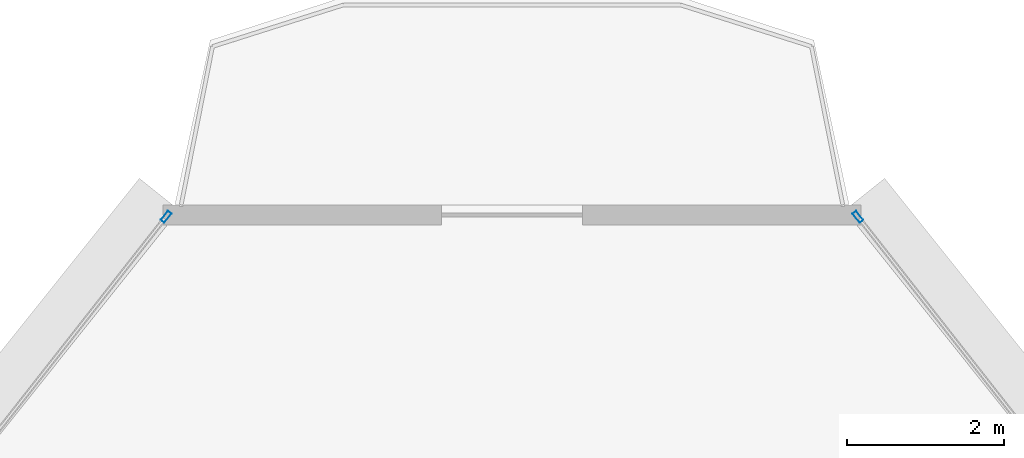
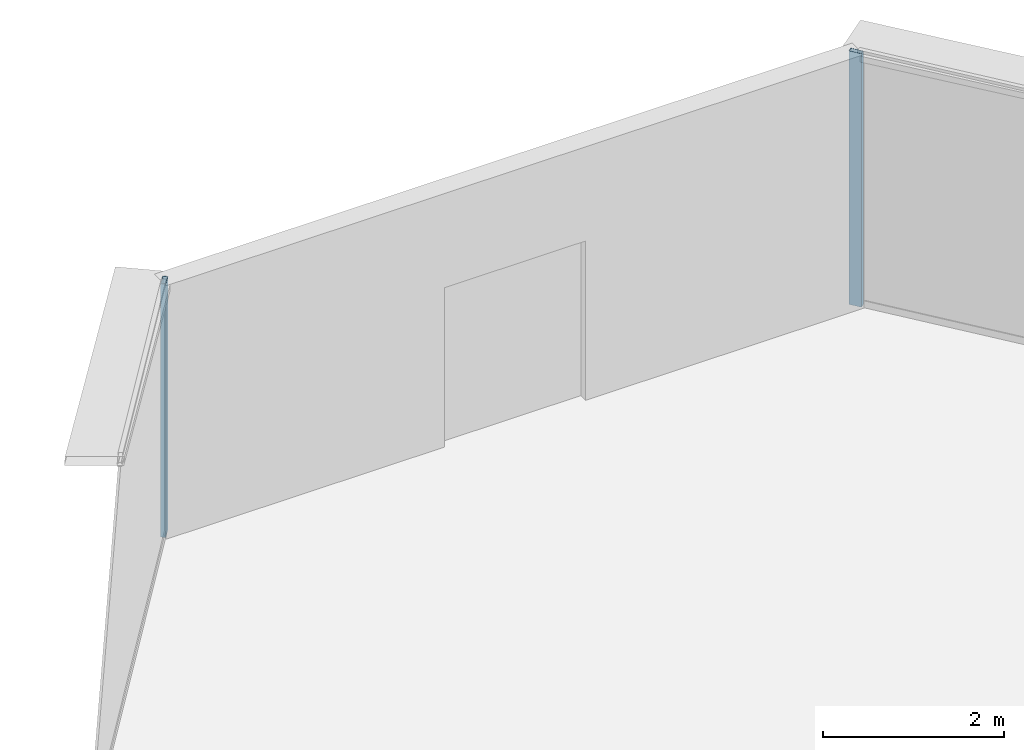
# One storey, part 29 of 42: 2 members, 2 elements without a shape of their own.
"""IFC4 building model written with IfcOpenShell, lengths in metres."""

import ifcopenshell
import ifcopenshell.guid

model = None  # the IFC model being written
_history = None  # IfcOwnerHistory: only IFC2X3 demands one
_inside = {}  # id of a spatial element -> (the spatial element, [elements in it])
_under = {}  # id of a project, library or spatial element -> (it, [spatial elements below it])
_declared = {}  # id of a project -> (the project, [libraries it declares])
_typed = {}  # id of a type object -> (the type object, [elements of that type])
_made_of = {}  # id of a material, layer set ... -> (it, [elements and type objects made of it])


def new_model(schema):
    """Start an empty IFC model of exactly this schema.

    Asked for "IFC4X3", IfcOpenShell would pick the latest addendum, in which some entities
    have other attributes; the version numbers below select the first issue.
    IFC2X3 requires an IfcOwnerHistory on every rooted entity: one is made here for all.
    """
    global model, _history
    if schema == "IFC4X3":
        model = ifcopenshell.file(schema_version=(4, 3, 0, 0))
    else:
        model = ifcopenshell.file(schema=schema)
    _inside.clear()
    _under.clear()
    _declared.clear()
    _typed.clear()
    _made_of.clear()
    _history = None
    if model.schema == "IFC2X3":
        org = make("IfcOrganization", Name="unknown")
        user = make(
            "IfcPersonAndOrganization",
            ThePerson=make("IfcPerson", FamilyName="unknown"),
            TheOrganization=org,
        )
        app = make(
            "IfcApplication",
            ApplicationDeveloper=org,
            Version="unknown",
            ApplicationFullName="unknown",
            ApplicationIdentifier="unknown",
        )
        _history = make(
            "IfcOwnerHistory",
            OwningUser=user,
            OwningApplication=app,
            ChangeAction="ADDED",
            CreationDate=0,
        )
    return model


def make(cls, **values):
    """One entity of the class cls with the attributes given. An attribute that is None is left unset."""
    return model.create_entity(
        cls, **{name: value for name, value in values.items() if value is not None}
    )


def rooted(cls, **values):
    """An entity with a GlobalId (a new one), such as an element, a storey or a relation."""
    return make(cls, GlobalId=ifcopenshell.guid.new(), OwnerHistory=_history, **values)


def si_unit(unit_type, name, prefix=None):
    """IfcSIUnit, for example si_unit("LENGTHUNIT", "METRE", prefix="MILLI")."""
    return make("IfcSIUnit", UnitType=unit_type, Prefix=prefix, Name=name)


def assignment(units):
    """IfcUnitAssignment: the units of a project."""
    return None if units is None else make("IfcUnitAssignment", Units=units)


def point(xyz):
    """IfcCartesianPoint."""
    return None if xyz is None else make("IfcCartesianPoint", Coordinates=xyz)


def direction(xyz):
    """IfcDirection."""
    return None if xyz is None else make("IfcDirection", DirectionRatios=xyz)


def frame(location, z_axis=None, x_axis=None):
    """IfcAxis2Placement3D, a coordinate frame: its origin and axes. An axis left out is left unset."""
    return make(
        "IfcAxis2Placement3D",
        Location=point(location),
        Axis=direction(z_axis),
        RefDirection=direction(x_axis),
    )


def frame_2d(location, x_axis=None):
    """IfcAxis2Placement2D, a coordinate frame in the plane: its origin and x axis."""
    return make(
        "IfcAxis2Placement2D", Location=point(location), RefDirection=direction(x_axis)
    )


def origin():
    """The frame at (0, 0, 0) with its axes left unset."""
    return frame((0.0, 0.0, 0.0))


def origin_2d():
    """The frame at (0, 0) in the plane with its x axis left unset."""
    return frame_2d((0.0, 0.0))


def place(relative_to, where):
    """IfcLocalPlacement: puts the frame where relative to a parent placement (None: the world)."""
    return make(
        "IfcLocalPlacement", PlacementRelTo=relative_to, RelativePlacement=where
    )


def context(
    kind, dimensions, precision=None, world=None, true_north=None, identifier=None
):
    """IfcGeometricRepresentationContext, for example the 3D "Model" context."""
    return make(
        "IfcGeometricRepresentationContext",
        ContextIdentifier=identifier,
        ContextType=kind,
        CoordinateSpaceDimension=dimensions,
        Precision=precision,
        WorldCoordinateSystem=world,
        TrueNorth=true_north,
    )


def subcontext(parent, identifier, kind, view, scale=None):
    """IfcGeometricRepresentationSubContext, for example "Body" below "Model"."""
    return make(
        "IfcGeometricRepresentationSubContext",
        ContextIdentifier=identifier,
        ContextType=kind,
        ParentContext=parent,
        TargetScale=scale,
        TargetView=view,
    )


def project(units=None, contexts=None):
    """IfcProject with its units and contexts."""
    return rooted(
        "IfcProject",
        Name="project",
        RepresentationContexts=contexts,
        UnitsInContext=assignment(units),
    )


def spatial(cls, under=None, at=None, **own):
    """A site, building, storey or space (cls), placed at a placement, below another one or the project."""
    s = rooted(cls, ObjectPlacement=at, **own)
    if under is not None:
        _under.setdefault(under.id(), (under, []))[1].append(s)
    return s


def profile(cls, at=None, kind="AREA", **sizes):
    """A parametric profile (cls). Its sizes go by their IFC names, for example OverallWidth=200.0."""
    return make(cls, ProfileType=kind, Position=at, **sizes)


def hollow_rectangle(**sizes):
    """IfcRectangleHollowProfileDef."""
    return profile("IfcRectangleHollowProfileDef", **sizes)


def extrude(swept, where, along, depth):
    """IfcExtrudedAreaSolid: the profile swept, set in the frame where, extruded along a direction by depth."""
    return make(
        "IfcExtrudedAreaSolid",
        SweptArea=swept,
        Position=where,
        ExtrudedDirection=direction(along),
        Depth=depth,
    )


def shape(context_of_items, identifier, shape_type, items):
    """IfcShapeRepresentation: the items that make up one representation, for example the "Body"."""
    return make(
        "IfcShapeRepresentation",
        ContextOfItems=context_of_items,
        RepresentationIdentifier=identifier,
        RepresentationType=shape_type,
        Items=items,
    )


def source(mapping_origin, context_of_items, identifier, shape_type, items):
    """IfcRepresentationMap: a shape defined once, which mapped items show again and again."""
    return make(
        "IfcRepresentationMap",
        MappingOrigin=mapping_origin,
        MappedRepresentation=shape(context_of_items, identifier, shape_type, items),
    )


def transform(
    local_origin,
    x_axis=None,
    y_axis=None,
    z_axis=None,
    scale=None,
    scale2=None,
    scale3=None,
    uniform=True,
):
    """IfcCartesianTransformationOperator3D, or its non-uniform kind. x_axis, y_axis, z_axis: its Axis1, 2, 3."""
    if uniform:
        return make(
            "IfcCartesianTransformationOperator3D",
            Axis1=direction(x_axis),
            Axis2=direction(y_axis),
            LocalOrigin=point(local_origin),
            Scale=scale,
            Axis3=direction(z_axis),
        )
    return make(
        "IfcCartesianTransformationOperator3DnonUniform",
        Axis1=direction(x_axis),
        Axis2=direction(y_axis),
        LocalOrigin=point(local_origin),
        Scale=scale,
        Axis3=direction(z_axis),
        Scale2=scale2,
        Scale3=scale3,
    )


def mapped(mapping_source, mapping_target):
    """IfcMappedItem: shows the shape of a source again, moved by a transform."""
    return make(
        "IfcMappedItem", MappingSource=mapping_source, MappingTarget=mapping_target
    )


def material(Name=None, Category=None):
    """IfcMaterial."""
    return make("IfcMaterial", Name=Name, Category=Category)


def layer(
    of_material, thickness, ventilated=None, Name=None, Category=None, Priority=None
):
    """IfcMaterialLayer: one layer of a wall or slab, of a material (None: an air gap)."""
    return make(
        "IfcMaterialLayer",
        Material=of_material,
        LayerThickness=thickness,
        IsVentilated=ventilated,
        Name=Name,
        Category=Category,
        Priority=Priority,
    )


def layer_set(layers, Name=None):
    """IfcMaterialLayerSet."""
    return make("IfcMaterialLayerSet", MaterialLayers=layers, LayerSetName=Name)


def material_profile(
    of_material, cross_section, Name=None, Category=None, Priority=None
):
    """IfcMaterialProfile: a cross section and its material."""
    return make(
        "IfcMaterialProfile",
        Name=Name,
        Material=of_material,
        Profile=cross_section,
        Priority=Priority,
        Category=Category,
    )


def profile_set(profiles, Name=None, composite=None):
    """IfcMaterialProfileSet."""
    return make(
        "IfcMaterialProfileSet",
        Name=Name,
        MaterialProfiles=profiles,
        CompositeProfile=composite,
    )


def made_of(thing, what):
    """Note that an element or type object is made of a material, layer set ...; save() writes the relation."""
    if what is not None:
        _made_of.setdefault(what.id(), (what, []))[1].append(thing)
    return thing


def type_object(cls, material=None, **own):
    """A type object (cls), such as IfcWallType, which elements share."""
    return made_of(rooted(cls, **own), material)


def element(
    cls,
    number,
    at=None,
    inside=None,
    cuts=None,
    type_object=None,
    material=None,
    context=None,
    identifier="Body",
    shape_type=None,
    held_by="IfcProductDefinitionShape",
    body=None,
    shapes=None,
    **own,
):
    """One element of the class cls, such as IfcWall. Its Tag is "e" and its number.

    at: its placement. inside: the storey or other place that contains it. cuts: it is an
    opening in that element (IfcRelVoidsElement). A single representation is given by context,
    identifier, shape_type and body (its items); several are given by shapes. held_by: the class
    of the entity that holds the representations. save() writes the other relations.
    """
    e = rooted(cls, Tag="e%d" % number, ObjectPlacement=at, **own)
    if body is not None:
        shapes = [shape(context, identifier, shape_type, body)]
    if shapes is not None:
        e.Representation = make(held_by, Representations=shapes)
    if inside is not None:
        _inside.setdefault(inside.id(), (inside, []))[1].append(e)
    if cuts is not None:
        rooted(
            "IfcRelVoidsElement", RelatingBuildingElement=cuts, RelatedOpeningElement=e
        )
    if type_object is not None:
        _typed.setdefault(type_object.id(), (type_object, []))[1].append(e)
    return made_of(e, material)


def aggregate(whole, parts):
    """IfcRelAggregates: a whole, such as a stair, and the parts it consists of."""
    return rooted("IfcRelAggregates", RelatingObject=whole, RelatedObjects=parts)


def save(model, path):
    """Write the relations noted so far, then the file.

    IfcRelAggregates (storeys below a building ...), IfcRelContainedInSpatialStructure (elements
    in a storey), IfcRelDefinesByType, IfcRelAssociatesMaterial and IfcRelDeclares: one each for
    every whole, place, type object, material and project.
    """
    for whole, parts in _under.values():
        aggregate(whole, parts)
    for where, things in _inside.values():
        rooted(
            "IfcRelContainedInSpatialStructure",
            RelatedElements=things,
            RelatingStructure=where,
        )
    for kind, things in _typed.values():
        rooted("IfcRelDefinesByType", RelatedObjects=things, RelatingType=kind)
    for what, things in _made_of.values():
        rooted("IfcRelAssociatesMaterial", RelatedObjects=things, RelatingMaterial=what)
    for by, libraries in _declared.values():
        rooted("IfcRelDeclares", RelatingContext=by, RelatedDefinitions=libraries)
    model.write(path)


model = new_model("IFC4")

# Units and contexts
model_context = context("Model", 3, precision=1e-05, world=origin(), true_north=direction((0.0, 1.0)))
body_context = subcontext(model_context, "Body", "Model", "MODEL_VIEW")
ifc_project = project(units=[si_unit("LENGTHUNIT", "METRE"), si_unit("AREAUNIT", "SQUARE_METRE"), si_unit("VOLUMEUNIT", "CUBIC_METRE"), si_unit("PLANEANGLEUNIT", "RADIAN"), si_unit("MASSUNIT", "GRAM", prefix="KILO"), si_unit("THERMODYNAMICTEMPERATUREUNIT", "KELVIN"), si_unit("POWERUNIT", "WATT")], contexts=[model_context])

# Site, building, storey
site_placement = place(None, origin())
site = spatial("IfcSite", under=ifc_project, at=site_placement, CompositionType="ELEMENT")
building_placement = place(site_placement, origin())
building = spatial("IfcBuilding", under=site, at=building_placement, Name="Yunzhuo Pagoda Commons", CompositionType="ELEMENT")
storey_placement = place(building_placement, frame((0.0, 0.0, 133.510009765625)))
storey = spatial("IfcBuildingStorey", under=building, at=storey_placement, Name="L33", CompositionType="ELEMENT", Elevation=133.510009765625)

# Curtain wall, member
ifc_material = material(Name="Anodized aluminium 6063-T6", Category="aluminium")
ifc_layer = layer(ifc_material, 0.14990234375)
ifc_layer_set = layer_set([ifc_layer], Name="Anodized aluminium 6063-T6")
curtain_wall_type = type_object("IfcCurtainWallType", Name="CW-MID Mid-Zone Ribbon Curtain Wall", PredefinedType="NOTDEFINED", material=ifc_layer_set)
curtain_wall_1_placement = place(storey_placement, origin())
curtain_wall_1 = element("IfcCurtainWall", 1, at=curtain_wall_1_placement, inside=storey, type_object=curtain_wall_type, Name="L33 curtain wall CW-L33-F2B5", PredefinedType="NOTDEFINED")
ifc_material_profile = material_profile(ifc_material, hollow_rectangle(XDim=0.06005859375, YDim=0.14990234375, WallThickness=0.00390625, at=origin_2d()), Name="Anodized aluminium 6063-T6")
ifc_profile_set = profile_set([ifc_material_profile], Name="Anodized aluminium 6063-T6")
member_type = type_object("IfcMemberType", Name="CW-MID-M Mullion RHS 150x60x4", PredefinedType="MULLION", material=ifc_profile_set)
shared_shape = source(origin(), body_context, "Body", "SweptSolid", [
    extrude(hollow_rectangle(XDim=0.06005859375, YDim=0.14990234375, WallThickness=0.00390625, at=origin_2d()), origin(), (0.0, 0.0, 1.0), 3.419921875),
])
member_1_placement = place(storey_placement, frame((52.414794921875, 85.219970703125, 0.0), z_axis=(0.0, 0.0, 1.0), x_axis=(-0.786571576347, -0.617499113588, 0.0)))
member_1 = element("IfcMember", 2, at=member_1_placement, type_object=member_type, Name="CW mullion 2", PredefinedType="MULLION", context=body_context, shape_type="MappedRepresentation", body=[
    mapped(shared_shape, transform((0.0, 0.0, 0.0), scale=1.0)),
])
aggregate(curtain_wall_1, [member_1])

curtain_wall_2_placement = place(storey_placement, origin())
curtain_wall_2 = element("IfcCurtainWall", 3, at=curtain_wall_2_placement, inside=storey, type_object=curtain_wall_type, Name="L33 curtain wall CW-L33-F3B1", PredefinedType="NOTDEFINED")
member_2_placement = place(storey_placement, frame((43.585205078125, 85.219970703125, 0.0), z_axis=(0.0, 0.0, 1.0), x_axis=(0.786571576347, -0.617499113588, 0.0)))
member_2 = element("IfcMember", 4, at=member_2_placement, type_object=member_type, Name="CW mullion 1", PredefinedType="MULLION", context=body_context, shape_type="MappedRepresentation", body=[
    mapped(shared_shape, transform((0.0, 0.0, 0.0), scale=1.0)),
])
aggregate(curtain_wall_2, [member_2])

save(model, "model.ifc")
